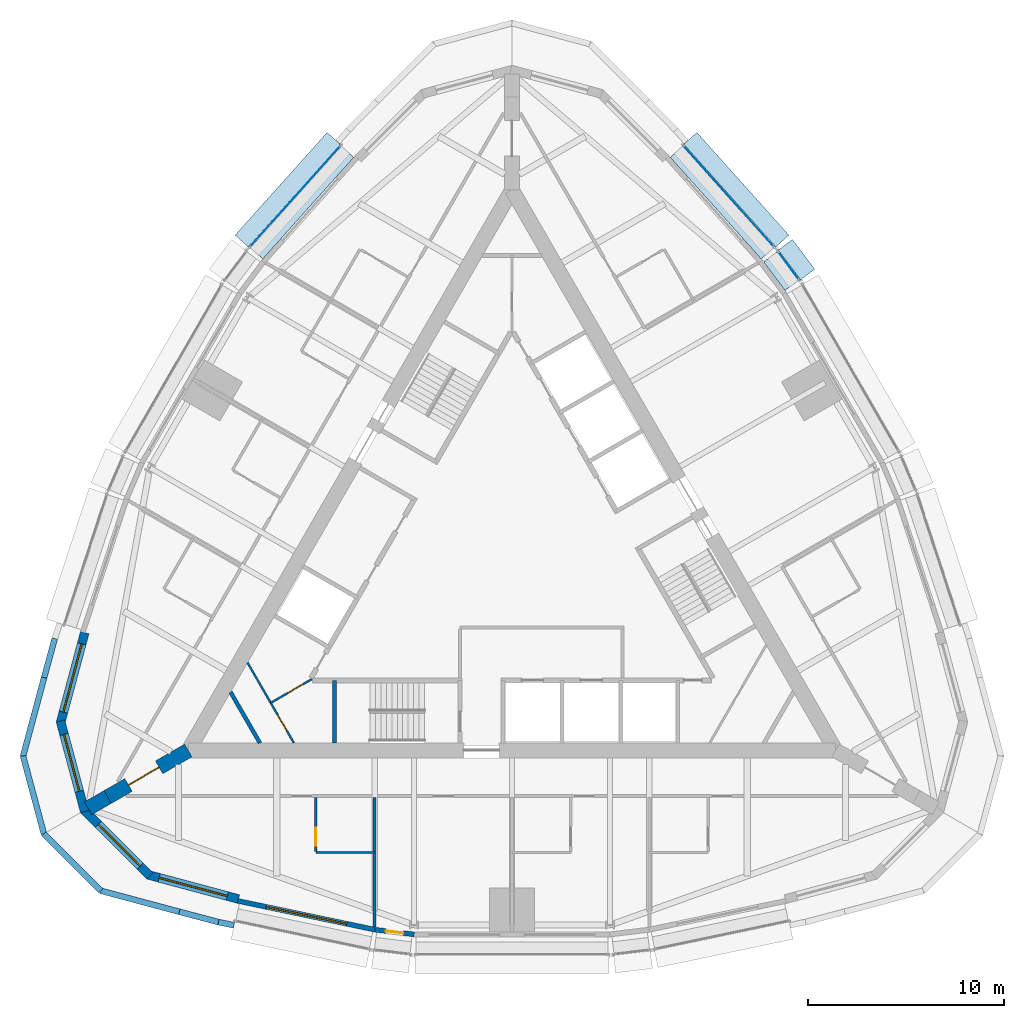
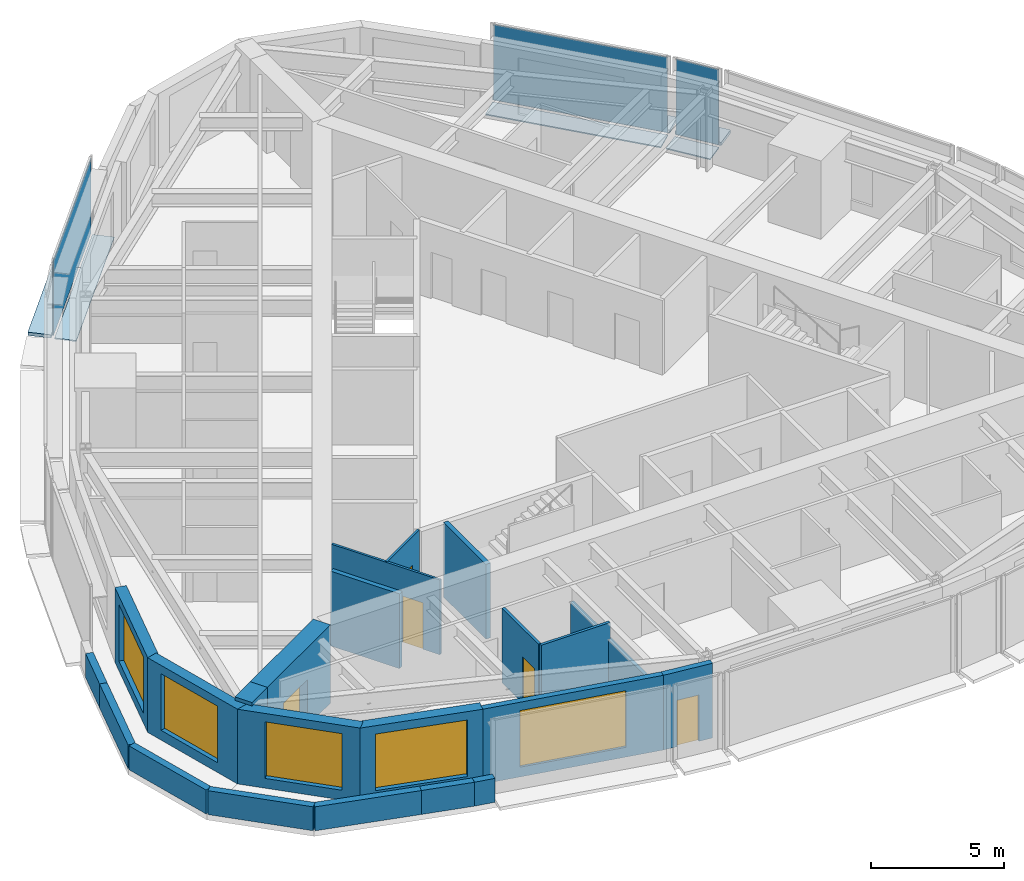
# One storey, part 7 of 13: 22 walls, 9 plates, 5 doors, 5 windows, 10 openings, 3 elements without a shape of their own.
"""IFC4 building model written with IfcOpenShell, lengths in metres."""

from ifc_helpers import new_model, si_unit, direction, frame, frame_2d, origin, origin_2d, place, context, subcontext, project, spatial, polyline, rectangle, outline, extrude, material, layer, layer_set, type_object, element, fill, aggregate, save


model = new_model("IFC4")

# Units and contexts
model_context = context("Model", 3, precision=1e-05, world=origin(), true_north=direction((0.0, 1.0)))
body_context = subcontext(model_context, "Body", "Model", "MODEL_VIEW")
ifc_project = project(units=[si_unit("LENGTHUNIT", "METRE"), si_unit("AREAUNIT", "SQUARE_METRE"), si_unit("VOLUMEUNIT", "CUBIC_METRE"), si_unit("PLANEANGLEUNIT", "RADIAN"), si_unit("MASSUNIT", "GRAM", prefix="KILO")], contexts=[model_context])

# Site, building, storey
site_placement = place(None, origin())
site = spatial("IfcSite", under=ifc_project, at=site_placement, CompositionType="ELEMENT")
building_placement = place(site_placement, origin())
building = spatial("IfcBuilding", under=site, at=building_placement, Name="Trikona Tower", CompositionType="ELEMENT")
storey_placement = place(building_placement, frame((0.0, 0.0, 239.300048828125)))
storey = spatial("IfcBuildingStorey", under=building, at=storey_placement, Name="L63", CompositionType="ELEMENT", Elevation=239.300048828125)

# Plates
ifc_material_1 = material(Name="Aluminium bar grating", Category="aluminium")
ifc_layer_1 = layer(ifc_material_1, 0.050048828125)
ifc_layer_set_1 = layer_set([ifc_layer_1], Name="Cavity catwalk grating")
plate_type_1 = type_object("IfcPlateType", Name="Cavity catwalk grating", PredefinedType="USERDEFINED", material=ifc_layer_set_1)
plate_1_placement = place(storey_placement, frame((13.713134765625, 14.9033203125, -0.05029296875), z_axis=(0.0, 0.0, 1.0), x_axis=(-0.599618784879, 0.800285769472, 0.0)))
element("IfcPlate", 1, at=plate_1_placement, inside=storey, type_object=plate_type_1, Name="Cavity catwalk L63-12", ObjectType="CATWALK GRATING", PredefinedType="USERDEFINED", context=body_context, shape_type="SweptSolid", body=[
    extrude(rectangle(XDim=1.814208984375, YDim=0.840087890625, at=origin_2d()), origin(), (0.0, 0.0, 1.0), 0.050048828125),
])
for number, where, z_axis, x_axis, name in (
    (2, (10.699462890625, 18.4013671875, -0.05029296875), (0.0, 0.0, 1.0), (-0.667311465398, 0.744778764566, 0.0), "Cavity catwalk L63-13"),
    (3, (-10.699462890625, 18.4013671875, -0.05029296875), (0.0, 0.0, 1.0), (-0.667311465398, -0.744778764566, 0.0), "Cavity catwalk L63-18"),
):
    element("IfcPlate", number, at=place(storey_placement, frame(where, z_axis=z_axis, x_axis=x_axis)), inside=storey, type_object=plate_type_1, Name=name, ObjectType="CATWALK GRATING", PredefinedType="USERDEFINED", context=body_context, shape_type="SweptSolid", body=[
        extrude(rectangle(XDim=6.95263671875, YDim=0.840087890625, at=origin_2d()), origin(), (0.0, 0.0, 1.0), 0.050048828125),
    ])

# Curtain wall, plate
ifc_material_2 = material(Name="Aluminium curtain wall system", Category="aluminium")
curtain_wall_type = type_object("IfcCurtainWallType", Name="Curtain wall DS3", PredefinedType="NOTDEFINED", material=ifc_material_2)
curtain_wall_1_placement = place(storey_placement, origin())
curtain_wall_1 = element("IfcCurtainWall", 4, at=curtain_wall_1_placement, inside=storey, type_object=curtain_wall_type, Name="Curtain wall DS3 L63", PredefinedType="NOTDEFINED")
ifc_material_3 = material(Name="Laminated clear glass", Category="glass")
ifc_layer_2 = layer(ifc_material_3, 0.028076171875)
ifc_layer_set_2 = layer_set([ifc_layer_2], Name="Glass panel DS3")
plate_type_2 = type_object("IfcPlateType", Name="Glass panel DS3", PredefinedType="CURTAIN_PANEL", material=ifc_layer_set_2)
plate_2_placement = place(storey_placement, frame((14.09716796875, 15.191162109375, 0.070068359375), z_axis=(0.0, 0.0, 1.0), x_axis=(-0.599653634435, 0.800259657055, 0.0)))
plate_2 = element("IfcPlate", 5, at=plate_2_placement, type_object=plate_type_2, Name="CW-DS3 panel 1.1", PredefinedType="CURTAIN_PANEL", context=body_context, shape_type="SweptSolid", body=[
    extrude(rectangle(XDim=1.754150390625, YDim=0.028076171875, at=origin_2d()), origin(), (0.0, 0.0, 1.0), 3.4599609375),
])
aggregate(curtain_wall_1, [plate_2])

curtain_wall_2_placement = place(storey_placement, origin())
curtain_wall_2 = element("IfcCurtainWall", 6, at=curtain_wall_2_placement, inside=storey, type_object=curtain_wall_type, Name="Curtain wall DS3 L63", PredefinedType="NOTDEFINED")
plate_3_placement = place(storey_placement, frame((11.056884765625, 18.7216796875, 0.070068359375), z_axis=(0.0, 0.0, 1.0), x_axis=(-0.667319643748, 0.744771436797, 0.0)))
plate_3 = element("IfcPlate", 7, at=plate_3_placement, type_object=plate_type_2, Name="CW-DS3 panel 1.1", PredefinedType="CURTAIN_PANEL", context=body_context, shape_type="SweptSolid", body=[
    extrude(rectangle(XDim=6.892822265625, YDim=0.028076171875, at=origin_2d()), origin(), (0.0, 0.0, 1.0), 3.4599609375),
])
aggregate(curtain_wall_2, [plate_3])

curtain_wall_3_placement = place(storey_placement, origin())
curtain_wall_3 = element("IfcCurtainWall", 8, at=curtain_wall_3_placement, inside=storey, type_object=curtain_wall_type, Name="Curtain wall DS3 L63", PredefinedType="NOTDEFINED")
plate_4_placement = place(storey_placement, frame((-11.056884765625, 18.7216796875, 0.070068359375), z_axis=(0.0, 0.0, 1.0), x_axis=(-0.667319643748, -0.744771436797, 0.0)))
plate_4 = element("IfcPlate", 9, at=plate_4_placement, type_object=plate_type_2, Name="CW-DS3 panel 1.1", PredefinedType="CURTAIN_PANEL", context=body_context, shape_type="SweptSolid", body=[
    extrude(rectangle(XDim=6.892822265625, YDim=0.028076171875, at=origin_2d()), origin(), (0.0, 0.0, 1.0), 3.4599609375),
])
aggregate(curtain_wall_3, [plate_4])

# Plates
ifc_material_4 = material(Name="Aluminium plate fin, pale anodised, on stainless steel outriggers", Category="steel")
ifc_layer_3 = layer(ifc_material_4, 0.14990234375)
ifc_layer_set_3 = layer_set([ifc_layer_3], Name="Outer skin fin 900")
plate_type_3 = type_object("IfcPlateType", Name="Outer skin fin 900", PredefinedType="USERDEFINED", material=ifc_layer_set_3)
plate_5_placement = place(storey_placement, frame((14.50537109375, 15.496826171875, 0.0), z_axis=(0.0, 0.0, 1.0), x_axis=(-0.599618784879, 0.800285769472, 0.0)))
element("IfcPlate", 10, at=plate_5_placement, inside=storey, type_object=plate_type_3, Name="Outer skin fin L63-12", ObjectType="FIN", PredefinedType="USERDEFINED", context=body_context, shape_type="SweptSolid", body=[
    extrude(rectangle(XDim=1.894287109375, YDim=0.89990234375, at=origin_2d()), origin(), (0.0, 0.0, 1.0), 0.14990234375),
])
for number, where, z_axis, x_axis, name in (
    (11, (11.436767578125, 19.06201171875, 0.0), (0.0, 0.0, 1.0), (-0.667311465398, 0.744778764566, 0.0), "Outer skin fin L63-13"),
    (12, (-11.436767578125, 19.06201171875, 0.0), (0.0, 0.0, 1.0), (-0.667311465398, -0.744778764566, 0.0), "Outer skin fin L63-18"),
):
    element("IfcPlate", number, at=place(storey_placement, frame(where, z_axis=z_axis, x_axis=x_axis)), inside=storey, type_object=plate_type_3, Name=name, ObjectType="FIN", PredefinedType="USERDEFINED", context=body_context, shape_type="SweptSolid", body=[
        extrude(rectangle(XDim=7.03271484375, YDim=0.89990234375, at=origin_2d()), origin(), (0.0, 0.0, 1.0), 0.14990234375),
    ])

# Wall
ifc_material_5 = material(Name="Metal stud and cement board", Category="gypsum")
ifc_layer_4 = layer(ifc_material_5, 0.1201171875)
ifc_layer_set_4 = layer_set([ifc_layer_4], Name="Bathroom wall 120")
wall_type_1 = type_object("IfcWallType", Name="Bathroom wall 120", PredefinedType="PLUMBINGWALL", material=ifc_layer_set_4)
wall_1_placement = place(storey_placement, frame((-10.0, -14.726318359375, 0.0), z_axis=(0.0, 0.0, 1.0), x_axis=(1.0, 0.0, 0.0)))
element("IfcWall", 13, at=wall_1_placement, inside=storey, type_object=wall_type_1, Name="Bathroom wall 6301", PredefinedType="PLUMBINGWALL", context=body_context, shape_type="SweptSolid", body=[
    extrude(rectangle(XDim=3.0, YDim=0.1201171875, at=frame_2d((1.5, 0.0))), origin(), (0.0, 0.0, 1.0), 3.43505859375),
])

# Wall, opening, door
wall_2_placement = place(storey_placement, frame((-10.0, -11.92626953125, 0.0), z_axis=(0.0, 0.0, 1.0), x_axis=(0.0, -1.0, 0.0)))
wall_2 = element("IfcWall", 14, at=wall_2_placement, inside=storey, type_object=wall_type_1, Name="Bathroom wall 6301", PredefinedType="PLUMBINGWALL", context=body_context, shape_type="SweptSolid", body=[
    extrude(rectangle(XDim=2.739990234375, YDim=0.1201171875, at=frame_2d((1.3701171875, 0.0))), origin(), (0.0, 0.0, 1.0), 3.43505859375),
])
opening_1_placement = place(wall_2_placement, frame((1.550048828125, 0.0, 0.0)))
opening_1 = element("IfcOpeningElement", 15, at=opening_1_placement, cuts=wall_2, Name="Opening D2", PredefinedType="OPENING", context=body_context, shape_type="SweptSolid", body=[
    extrude(rectangle(XDim=0.89990234375, YDim=2.1298828125, at=frame_2d((0.449951171875, 1.06494140625))), frame((0.0, 0.070068359375, 0.0), z_axis=(0.0, -1.0, 0.0), x_axis=(1.0, 0.0, 0.0)), (0.0, 0.0, 1.0), 0.14013671875),
])
ifc_material_6 = material(Name="Steel door frame with solid-core timber leaf", Category="steel")
door_type_1 = type_object("IfcDoorType", Name="Bathroom door 900x2130", OperationType="SLIDING_TO_LEFT", PredefinedType="DOOR", material=ifc_material_6)
door_1_placement = place(opening_1_placement, origin())
door_1 = element("IfcDoor", 16, at=door_1_placement, inside=storey, type_object=door_type_1, Name="Bathroom door 6301", OperationType="SLIDING_TO_LEFT", OverallHeight=2.1298828125, OverallWidth=0.89990234375, PredefinedType="DOOR", context=body_context, shape_type="SweptSolid", body=[
    extrude(rectangle(XDim=0.89990234375, YDim=2.1298828125, at=frame_2d((0.449951171875, 1.06494140625))), frame((0.0, 0.02490234375, 0.0), z_axis=(0.0, -1.0, 0.0), x_axis=(1.0, 0.0, 0.0)), (0.0, 0.0, 1.0), 0.050048828125),
])
fill(opening_1, door_1)

# Wall, opening, window
ifc_material_7 = material(Name="Brick-faced precast concrete", Category="masonry")
ifc_layer_5 = layer(ifc_material_7, 0.449951171875)
ifc_layer_set_5 = layer_set([ifc_layer_5], Name="Brick-faced corner wall 450")
wall_type_2 = type_object("IfcWallType", Name="Brick-faced corner wall 450", PredefinedType="SOLIDWALL", material=ifc_layer_set_5)
wall_3_placement = place(storey_placement, frame((-21.78271484375, -3.522216796875, 0.0), z_axis=(0.0, 0.0, 1.0), x_axis=(-0.25880328844, -0.965930048136, 0.0)))
wall_3 = element("IfcWall", 17, at=wall_3_placement, inside=storey, type_object=wall_type_2, Name="External wall L63-23", PredefinedType="SOLIDWALL", context=body_context, shape_type="SweptSolid", body=[
    extrude(rectangle(XDim=4.78173828125, YDim=0.449951171875, at=frame_2d((2.390869140625, 0.0))), origin(), (0.0, 0.0, 1.0), 3.43505859375),
])
opening_2_placement = place(wall_3_placement, frame((0.5908203125, 0.0, 0.449951171875)))
opening_2 = element("IfcOpeningElement", 18, at=opening_2_placement, cuts=wall_3, Name="Opening W3626", PredefinedType="OPENING", context=body_context, shape_type="SweptSolid", body=[
    extrude(rectangle(XDim=3.60009765625, YDim=2.60009765625, at=frame_2d((1.800048828125, 1.300048828125))), frame((0.0, 0.23486328125, 0.0), z_axis=(0.0, -1.0, 0.0), x_axis=(1.0, 0.0, 0.0)), (0.0, 0.0, 1.0), 0.469970703125),
])
ifc_material_8 = material(Name="Aluminium-framed double glazing", Category="aluminium")
window_type_1 = type_object("IfcWindowType", Name="Window 3600x2600", PartitioningType="SINGLE_PANEL", PredefinedType="WINDOW", material=ifc_material_8)
window_1_placement = place(opening_2_placement, origin())
window_1 = element("IfcWindow", 19, at=window_1_placement, inside=storey, type_object=window_type_1, Name="Window 6309", OverallHeight=2.60009765625, OverallWidth=3.60009765625, PartitioningType="SINGLE_PANEL", PredefinedType="WINDOW", context=body_context, shape_type="SweptSolid", body=[
    extrude(rectangle(XDim=3.60009765625, YDim=2.60009765625, at=frame_2d((1.800048828125, 1.300048828125))), frame((0.0, 0.030029296875, 0.0), z_axis=(0.0, -1.0, 0.0), x_axis=(1.0, 0.0, 0.0)), (0.0, 0.0, 1.0), 0.06005859375),
])
fill(opening_2, window_1)

wall_4_placement = place(storey_placement, frame((-23.020263671875, -8.024658203125, 0.0), z_axis=(0.0, 0.0, 1.0), x_axis=(0.25880328844, -0.965930048136, 0.0)))
wall_4 = element("IfcWall", 20, at=wall_4_placement, inside=storey, type_object=wall_type_2, Name="External wall L63-24", PredefinedType="SOLIDWALL", context=body_context, shape_type="SweptSolid", body=[
    extrude(outline(polyline([(4.78173828125, 0.22509765625), (4.72216796875, 0.22509765625), (4.302978515625, 0.112548828125), (4.27294921875, 0.22509765625), (0.0, 0.22509765625), (0.0, -0.22509765625), (4.78173828125, -0.22509765625), (4.78173828125, 0.22509765625)])), origin(), (0.0, 0.0, 1.0), 3.43505859375),
])
opening_3_placement = place(wall_4_placement, frame((0.71142578125, 0.0, 0.449951171875)))
opening_3 = element("IfcOpeningElement", 21, at=opening_3_placement, cuts=wall_4, Name="Opening W3026", PredefinedType="OPENING", context=body_context, shape_type="SweptSolid", body=[
    extrude(rectangle(XDim=3.0, YDim=2.60009765625, at=frame_2d((1.5, 1.300048828125))), frame((0.0, 0.23486328125, 0.0), z_axis=(0.0, -1.0, 0.0), x_axis=(1.0, 0.0, 0.0)), (0.0, 0.0, 1.0), 0.469970703125),
])
ifc_material_9 = material(Name="Aluminium-framed double glazing", Category="aluminium")
window_type_2 = type_object("IfcWindowType", Name="Window 3000x2600", PartitioningType="SINGLE_PANEL", PredefinedType="WINDOW", material=ifc_material_9)
window_2_placement = place(opening_3_placement, origin())
window_2 = element("IfcWindow", 22, at=window_2_placement, inside=storey, type_object=window_type_2, Name="Window 6309", OverallHeight=2.60009765625, OverallWidth=3.0, PartitioningType="SINGLE_PANEL", PredefinedType="WINDOW", context=body_context, shape_type="SweptSolid", body=[
    extrude(rectangle(XDim=3.0, YDim=2.60009765625, at=frame_2d((1.5, 1.300048828125))), frame((0.0, 0.030029296875, 0.0), z_axis=(0.0, -1.0, 0.0), x_axis=(1.0, 0.0, 0.0)), (0.0, 0.0, 1.0), 0.06005859375),
])
fill(opening_3, window_2)

wall_5_placement = place(storey_placement, frame((-21.8408203125, -12.54248046875, 0.0), z_axis=(0.0, 0.0, 1.0), x_axis=(0.707081252484, -0.707132308968, 0.0)))
wall_5 = element("IfcWall", 23, at=wall_5_placement, inside=storey, type_object=wall_type_2, Name="External wall L63-25", PredefinedType="SOLIDWALL", context=body_context, shape_type="SweptSolid", body=[
    extrude(outline(polyline([(4.78173828125, 0.22509765625), (0.5087890625, 0.22509765625), (0.478759765625, 0.112548828125), (0.058837890625, 0.22509765625), (0.0, 0.22509765625), (0.0, -0.22509765625), (4.78173828125, -0.22509765625), (4.78173828125, 0.22509765625)])), origin(), (0.0, 0.0, 1.0), 3.43505859375),
])
opening_4_placement = place(wall_5_placement, frame((1.0703125, 0.0, 0.449951171875)))
opening_4 = element("IfcOpeningElement", 24, at=opening_4_placement, cuts=wall_5, Name="Opening W3026", PredefinedType="OPENING", context=body_context, shape_type="SweptSolid", body=[
    extrude(rectangle(XDim=3.0, YDim=2.60009765625, at=frame_2d((1.5, 1.300048828125))), frame((0.0, 0.23486328125, 0.0), z_axis=(0.0, -1.0, 0.0), x_axis=(1.0, 0.0, 0.0)), (0.0, 0.0, 1.0), 0.469970703125),
])
window_3_placement = place(opening_4_placement, origin())
window_3 = element("IfcWindow", 25, at=window_3_placement, inside=storey, type_object=window_type_2, Name="Window 6301", OverallHeight=2.60009765625, OverallWidth=3.0, PartitioningType="SINGLE_PANEL", PredefinedType="WINDOW", context=body_context, shape_type="SweptSolid", body=[
    extrude(rectangle(XDim=3.0, YDim=2.60009765625, at=frame_2d((1.5, 1.300048828125))), frame((0.0, 0.030029296875, 0.0), z_axis=(0.0, -1.0, 0.0), x_axis=(1.0, 0.0, 0.0)), (0.0, 0.0, 1.0), 0.06005859375),
])
fill(opening_4, window_3)

wall_6_placement = place(storey_placement, frame((-18.560546875, -15.865478515625, 0.0), z_axis=(0.0, 0.0, 1.0), x_axis=(0.965913862671, -0.258863689806, 0.0)))
wall_6 = element("IfcWall", 26, at=wall_6_placement, inside=storey, type_object=wall_type_2, Name="External wall L63-26", PredefinedType="SOLIDWALL", context=body_context, shape_type="SweptSolid", body=[
    extrude(rectangle(XDim=4.78173828125, YDim=0.449951171875, at=frame_2d((2.390869140625, 0.0))), origin(), (0.0, 0.0, 1.0), 3.43505859375),
])
opening_5_placement = place(wall_6_placement, frame((0.5908203125, 0.0, 0.449951171875)))
opening_5 = element("IfcOpeningElement", 27, at=opening_5_placement, cuts=wall_6, Name="Opening W3626", PredefinedType="OPENING", context=body_context, shape_type="SweptSolid", body=[
    extrude(rectangle(XDim=3.60009765625, YDim=2.60009765625, at=frame_2d((1.800048828125, 1.300048828125))), frame((0.0, 0.23486328125, 0.0), z_axis=(0.0, -1.0, 0.0), x_axis=(1.0, 0.0, 0.0)), (0.0, 0.0, 1.0), 0.469970703125),
])
window_4_placement = place(opening_5_placement, origin())
window_4 = element("IfcWindow", 28, at=window_4_placement, inside=storey, type_object=window_type_1, Name="Window 6301", OverallHeight=2.60009765625, OverallWidth=3.60009765625, PartitioningType="SINGLE_PANEL", PredefinedType="WINDOW", context=body_context, shape_type="SweptSolid", body=[
    extrude(rectangle(XDim=3.60009765625, YDim=2.60009765625, at=frame_2d((1.800048828125, 1.300048828125))), frame((0.0, 0.030029296875, 0.0), z_axis=(0.0, -1.0, 0.0), x_axis=(1.0, 0.0, 0.0)), (0.0, 0.0, 1.0), 0.06005859375),
])
fill(opening_5, window_4)

# Wall, opening, door
ifc_material_10 = material(Name="Concrete f'c 10000 psi", Category="concrete")
ifc_layer_6 = layer(ifc_material_10, 0.75)
ifc_layer_set_6 = layer_set([ifc_layer_6], Name="Buttress wall 750")
wall_type_3 = type_object("IfcWallType", Name="Buttress wall 750", PredefinedType="SHEAR", material=ifc_layer_set_6)
wall_7_placement = place(storey_placement, frame((-16.5, -9.5263671875, 0.0), z_axis=(0.0, 0.0, 1.0), x_axis=(-0.866031398331, -0.499989616998, 0.0)))
wall_7 = element("IfcWall", 29, at=wall_7_placement, inside=storey, type_object=wall_type_3, Name="Buttress wall 3", PredefinedType="SHEAR", context=body_context, shape_type="SweptSolid", body=[
    extrude(rectangle(XDim=4.74609375, YDim=0.75, at=frame_2d((2.373046875, 0.0))), origin(), (0.0, 0.0, 1.0), 3.599853515625),
])
opening_6_placement = place(wall_7_placement, frame((1.72509765625, 0.0, 0.0)))
opening_6 = element("IfcOpeningElement", 30, at=opening_6_placement, cuts=wall_7, Name="Opening D10", PredefinedType="OPENING", context=body_context, shape_type="SweptSolid", body=[
    extrude(rectangle(XDim=1.800048828125, YDim=2.1298828125, at=frame_2d((0.89990234375, 1.06494140625))), frame((0.0, 0.385009765625, 0.0), z_axis=(0.0, -1.0, 0.0), x_axis=(1.0, 0.0, 0.0)), (0.0, 0.0, 1.0), 0.77001953125),
])
ifc_material_11 = material(Name="Hollow metal door and frame", Category="steel")
door_type_2 = type_object("IfcDoorType", Name="Cross-corridor door pair 1800x2130", OperationType="DOUBLE_DOOR_DOUBLE_SWING", PredefinedType="DOOR", material=ifc_material_11)
door_2_placement = place(opening_6_placement, origin())
door_2 = element("IfcDoor", 31, at=door_2_placement, inside=storey, type_object=door_type_2, Name="Cross-corridor door 3", OperationType="DOUBLE_DOOR_DOUBLE_SWING", OverallHeight=2.1298828125, OverallWidth=1.800048828125, PredefinedType="DOOR", context=body_context, shape_type="SweptSolid", body=[
    extrude(rectangle(XDim=1.800048828125, YDim=2.1298828125, at=frame_2d((0.89990234375, 1.06494140625))), frame((0.0, 0.02490234375, 0.0), z_axis=(0.0, -1.0, 0.0), x_axis=(1.0, 0.0, 0.0)), (0.0, 0.0, 1.0), 0.050048828125),
])
fill(opening_6, door_2)

# Wall
wall_8_placement = place(storey_placement, frame((-20.6103515625, -11.8994140625, 0.0), z_axis=(0.0, 0.0, 1.0), x_axis=(-0.866009537788, -0.500027479704, 0.0)))
element("IfcWall", 32, at=wall_8_placement, inside=storey, type_object=wall_type_3, Name="Buttress wall 3 part 2", PredefinedType="SHEAR", context=body_context, shape_type="SweptSolid", body=[
    extrude(rectangle(XDim=1.15478515625, YDim=0.75, at=frame_2d((0.577392578125, 0.0))), origin(), (0.0, 0.0, 1.0), 3.599853515625),
])

# Wall, opening, window
ifc_material_12 = material(Name="Insulated precast concrete spandrel panel", Category="concrete")
ifc_layer_7 = layer(ifc_material_12, 0.25)
ifc_layer_set_7 = layer_set([ifc_layer_7], Name="Inner skin wall 250")
wall_type_4 = type_object("IfcWallType", Name="Inner skin wall 250", PredefinedType="STANDARD", material=ifc_layer_set_7)
wall_9_placement = place(storey_placement, frame((-13.974365234375, -17.1982421875, 0.0), z_axis=(0.0, 0.0, 1.0), x_axis=(0.978654320409, -0.205513311355, 0.0)))
wall_9 = element("IfcWall", 33, at=wall_9_placement, inside=storey, type_object=wall_type_4, Name="External wall L63-00", PredefinedType="STANDARD", context=body_context, shape_type="SweptSolid", body=[
    extrude(rectangle(XDim=7.152587890625, YDim=0.25, at=frame_2d((3.576171875, 0.0))), origin(), (0.0, 0.0, 1.0), 3.43505859375),
])
opening_7_placement = place(wall_9_placement, frame((1.476318359375, 0.0, 0.449951171875)))
opening_7 = element("IfcOpeningElement", 34, at=opening_7_placement, cuts=wall_9, Name="Opening W4226", PredefinedType="OPENING", context=body_context, shape_type="SweptSolid", body=[
    extrude(rectangle(XDim=4.199951171875, YDim=2.60009765625, at=frame_2d((2.10009765625, 1.300048828125))), frame((0.0, 0.135009765625, 0.0), z_axis=(0.0, -1.0, 0.0), x_axis=(1.0, 0.0, 0.0)), (0.0, 0.0, 1.0), 0.27001953125),
])
ifc_material_13 = material(Name="Aluminium-framed double glazing", Category="aluminium")
window_type_3 = type_object("IfcWindowType", Name="Window 4200x2600", PartitioningType="SINGLE_PANEL", PredefinedType="WINDOW", material=ifc_material_13)
window_5_placement = place(opening_7_placement, origin())
window_5 = element("IfcWindow", 35, at=window_5_placement, inside=storey, type_object=window_type_3, Name="Window 6301", OverallHeight=2.60009765625, OverallWidth=4.199951171875, PartitioningType="SINGLE_PANEL", PredefinedType="WINDOW", context=body_context, shape_type="SweptSolid", body=[
    extrude(rectangle(XDim=4.199951171875, YDim=2.60009765625, at=frame_2d((2.10009765625, 1.300048828125))), frame((0.0, 0.030029296875, 0.0), z_axis=(0.0, -1.0, 0.0), x_axis=(1.0, 0.0, 0.0)), (0.0, 0.0, 1.0), 0.06005859375),
])
fill(opening_7, window_5)

# Wall, opening, door
wall_10_placement = place(storey_placement, frame((-6.985107421875, -18.66650390625, 0.0), z_axis=(0.0, 0.0, 1.0), x_axis=(0.992877411981, -0.119140441403, 0.0)))
wall_10 = element("IfcWall", 36, at=wall_10_placement, inside=storey, type_object=wall_type_4, Name="External wall L63-01", PredefinedType="STANDARD", context=body_context, shape_type="SweptSolid", body=[
    extrude(rectangle(XDim=2.014404296875, YDim=0.25, at=frame_2d((1.00732421875, 0.0))), origin(), (0.0, 0.0, 1.0), 3.43505859375),
])
opening_8_placement = place(wall_10_placement, frame((0.55712890625, 0.0, 0.0)))
opening_8 = element("IfcOpeningElement", 37, at=opening_8_placement, cuts=wall_10, Name="Opening D17", PredefinedType="OPENING", context=body_context, shape_type="SweptSolid", body=[
    extrude(rectangle(XDim=0.89990234375, YDim=2.1298828125, at=frame_2d((0.449951171875, 1.06494140625))), frame((0.0, 0.135009765625, 0.0), z_axis=(0.0, -1.0, 0.0), x_axis=(1.0, 0.0, 0.0)), (0.0, 0.0, 1.0), 0.27001953125),
])
ifc_material_14 = material(Name="Insulated steel door and frame", Category="steel")
door_type_3 = type_object("IfcDoorType", Name="Maintenance roof access door 900x2130", OperationType="SINGLE_SWING_LEFT", PredefinedType="DOOR", material=ifc_material_14)
door_3_placement = place(opening_8_placement, origin())
door_3 = element("IfcDoor", 38, at=door_3_placement, inside=storey, type_object=door_type_3, Name="Maintenance access door Housekeeping pantry", OperationType="SINGLE_SWING_LEFT", OverallHeight=2.1298828125, OverallWidth=0.89990234375, PredefinedType="DOOR", context=body_context, shape_type="SweptSolid", body=[
    extrude(rectangle(XDim=0.89990234375, YDim=2.1298828125, at=frame_2d((0.449951171875, 1.06494140625))), frame((0.0, 0.02490234375, 0.0), z_axis=(0.0, -1.0, 0.0), x_axis=(1.0, 0.0, 0.0)), (0.0, 0.0, 1.0), 0.050048828125),
])
fill(opening_8, door_3)

# Walls
ifc_material_15 = material(Name="Brick-faced precast concrete", Category="masonry")
ifc_layer_8 = layer(ifc_material_15, 0.300048828125)
ifc_layer_set_8 = layer_set([ifc_layer_8], Name="Parapet wall 300")
wall_type_5 = type_object("IfcWallType", Name="Parapet wall 300", PredefinedType="PARAPET", material=ifc_layer_set_8)
wall_11_placement = place(storey_placement, frame((-16.96142578125, -17.7529296875, 0.0), z_axis=(0.0, 0.0, 1.0), x_axis=(-0.965922277207, 0.258832290092, 0.0)))
element("IfcWall", 39, at=wall_11_placement, inside=storey, type_object=wall_type_5, Name="Parapet L63-00", PredefinedType="PARAPET", context=body_context, shape_type="SweptSolid", body=[
    extrude(rectangle(XDim=4.1435546875, YDim=0.300048828125, at=frame_2d((2.07177734375, 0.0))), origin(), (0.0, 0.0, 1.0), 1.099853515625),
])
wall_12_placement = place(storey_placement, frame((-20.9638671875, -16.680419921875, 0.0), z_axis=(0.0, 0.0, 1.0), x_axis=(-0.707106781187, 0.707106781187, 0.0)))
element("IfcWall", 40, at=wall_12_placement, inside=storey, type_object=wall_type_5, Name="Parapet L63-01", PredefinedType="PARAPET", context=body_context, shape_type="SweptSolid", body=[
    extrude(rectangle(XDim=4.103515625, YDim=0.300048828125, at=frame_2d((2.0517578125, 0.0))), origin(), (0.0, 0.0, 1.0), 1.099853515625),
])
wall_13_placement = place(storey_placement, frame((-23.865478515625, -13.77880859375, 0.0), z_axis=(0.0, 0.0, 1.0), x_axis=(-0.258795560265, 0.965932118726, 0.0)))
element("IfcWall", 41, at=wall_13_placement, inside=storey, type_object=wall_type_5, Name="Parapet L63-02", PredefinedType="PARAPET", context=body_context, shape_type="SweptSolid", body=[
    extrude(rectangle(XDim=4.103759765625, YDim=0.300048828125, at=frame_2d((2.0517578125, 0.0))), origin(), (0.0, 0.0, 1.0), 1.099853515625),
])
wall_14_placement = place(storey_placement, frame((-24.927490234375, -9.81494140625, 0.0), z_axis=(0.0, 0.0, 1.0), x_axis=(0.258777316825, 0.965937006381, 0.0)))
element("IfcWall", 42, at=wall_14_placement, inside=storey, type_object=wall_type_5, Name="Parapet L63-03", PredefinedType="PARAPET", context=body_context, shape_type="SweptSolid", body=[
    extrude(rectangle(XDim=4.1435546875, YDim=0.300048828125, at=frame_2d((2.07177734375, 0.0))), origin(), (0.0, 0.0, 1.0), 1.099853515625),
])
wall_15_placement = place(storey_placement, frame((-23.855224609375, -5.8125, 0.0), z_axis=(0.0, 0.0, 1.0), x_axis=(0.262857141623, 0.964834764661, 0.0)))
element("IfcWall", 43, at=wall_15_placement, inside=storey, type_object=wall_type_5, Name="Parapet L63-04", PredefinedType="PARAPET", context=body_context, shape_type="SweptSolid", body=[
    extrude(rectangle(XDim=2.063720703125, YDim=0.300048828125, at=frame_2d((1.03173828125, 0.0))), origin(), (0.0, 0.0, 1.0), 1.099853515625),
])
wall_16_placement = place(storey_placement, frame((-14.174072265625, -18.44189453125, 0.0), z_axis=(0.0, 0.0, 1.0), x_axis=(-0.979437739826, 0.201746657479, 0.0)))
element("IfcWall", 44, at=wall_16_placement, inside=storey, type_object=wall_type_5, Name="Parapet L63-34", PredefinedType="PARAPET", context=body_context, shape_type="SweptSolid", body=[
    extrude(rectangle(XDim=0.808349609375, YDim=0.300048828125, at=frame_2d((0.404296875, 0.0))), origin(), (0.0, 0.0, 1.0), 1.099853515625),
])
wall_17_placement = place(storey_placement, frame((-14.9658203125, -18.27880859375, 0.0), z_axis=(0.0, 0.0, 1.0), x_axis=(-0.966988668416, 0.25481937751, 0.0)))
element("IfcWall", 45, at=wall_17_placement, inside=storey, type_object=wall_type_5, Name="Parapet L63-35", PredefinedType="PARAPET", context=body_context, shape_type="SweptSolid", body=[
    extrude(rectangle(XDim=2.063720703125, YDim=0.300048828125, at=frame_2d((1.03173828125, 0.0))), origin(), (0.0, 0.0, 1.0), 1.099853515625),
])
ifc_material_16 = material(Name="Metal stud and gypsum board, 1-hour acoustic", Category="gypsum")
ifc_layer_9 = layer(ifc_material_16, 0.14990234375)
ifc_layer_set_9 = layer_set([ifc_layer_9], Name="Party wall 150")
wall_type_6 = type_object("IfcWallType", Name="Party wall 150", PredefinedType="PARTITIONING", material=ifc_layer_set_9)
wall_18_placement = place(storey_placement, frame((-7.0, -11.92626953125, 0.0), z_axis=(0.0, 0.0, 1.0), x_axis=(0.0, -1.0, 0.0)))
element("IfcWall", 46, at=wall_18_placement, inside=storey, type_object=wall_type_6, Name="Partition L63 F1 u-7", PredefinedType="PARTITIONING", context=body_context, shape_type="SweptSolid", body=[
    extrude(rectangle(XDim=6.608642578125, YDim=0.14990234375, at=frame_2d((3.30419921875, 0.0))), origin(), (0.0, 0.0, 1.0), 2.677978515625),
])
ifc_material_17 = material(Name="Concrete f'c 8000 psi", Category="concrete")
ifc_layer_10 = layer(ifc_material_17, 0.199951171875)
ifc_layer_set_10 = layer_set([ifc_layer_10], Name="Shaft wall 200")
wall_type_7 = type_object("IfcWallType", Name="Shaft wall 200", PredefinedType="SOLIDWALL", material=ifc_layer_set_10)
wall_19_placement = place(storey_placement, frame((-12.848388671875, -9.1513671875, 0.0), z_axis=(0.0, 0.0, 1.0), x_axis=(-0.499952404951, 0.866052881055, 0.0)))
element("IfcWall", 47, at=wall_19_placement, inside=storey, type_object=wall_type_7, Name="Riser wall L63-RS3", PredefinedType="SOLIDWALL", context=body_context, shape_type="SweptSolid", body=[
    extrude(rectangle(XDim=3.002197265625, YDim=0.199951171875, at=frame_2d((1.5009765625, 0.0))), origin(), (0.0, 0.0, 1.0), 3.43505859375),
])
ifc_material_18 = material(Name="Concrete f'c 8000 psi", Category="concrete")
ifc_layer_11 = layer(ifc_material_18, 0.199951171875)
ifc_layer_set_11 = layer_set([ifc_layer_11], Name="Shaft wall 200 load-bearing")
wall_type_8 = type_object("IfcWallType", Name="Shaft wall 200 load-bearing", PredefinedType="SOLIDWALL", material=ifc_layer_set_11)
wall_20_placement = place(storey_placement, frame((-9.050048828125, -5.951416015625, 0.0), z_axis=(0.0, 0.0, 1.0), x_axis=(0.0, -1.0, 0.0)))
element("IfcWall", 48, at=wall_20_placement, inside=storey, type_object=wall_type_8, Name="Shaft wall A1", PredefinedType="SOLIDWALL", context=body_context, shape_type="SweptSolid", body=[
    extrude(rectangle(XDim=3.199951171875, YDim=0.199951171875, at=frame_2d((1.60009765625, 0.0))), origin(), (0.0, 0.0, 1.0), 3.43505859375),
])

# Wall, opening, door
ifc_material_19 = material(Name="Metal stud and gypsum board, acoustic", Category="gypsum")
ifc_layer_12 = layer(ifc_material_19, 0.10009765625)
ifc_layer_set_12 = layer_set([ifc_layer_12], Name="Suite partition 100")
wall_type_9 = type_object("IfcWallType", Name="Suite partition 100", PredefinedType="PARTITIONING", material=ifc_layer_set_12)
wall_21_placement = place(storey_placement, frame((-11.1162109375, -9.1513671875, 0.0), z_axis=(0.0, 0.0, 1.0), x_axis=(-0.499999210213, 0.866025859768, 0.0)))
wall_21 = element("IfcWall", 49, at=wall_21_placement, inside=storey, type_object=wall_type_9, Name="Store partition L63-RS3", PredefinedType="PARTITIONING", context=body_context, shape_type="SweptSolid", body=[
    extrude(rectangle(XDim=4.734375, YDim=0.10009765625, at=frame_2d((2.3671875, 0.0))), origin(), (0.0, 0.0, 1.0), 3.43505859375),
])
opening_9_placement = place(wall_21_placement, frame((0.733642578125, 0.0, 0.0)))
opening_9 = element("IfcOpeningElement", 50, at=opening_9_placement, cuts=wall_21, Name="Opening D15", PredefinedType="OPENING", context=body_context, shape_type="SweptSolid", body=[
    extrude(rectangle(XDim=0.89990234375, YDim=2.1298828125, at=frame_2d((0.449951171875, 1.06494140625))), frame((0.0, 0.06005859375, 0.0), z_axis=(0.0, -1.0, 0.0), x_axis=(1.0, 0.0, 0.0)), (0.0, 0.0, 1.0), 0.1201171875),
])
ifc_material_20 = material(Name="Steel door frame with solid-core timber leaf", Category="steel")
door_type_4 = type_object("IfcDoorType", Name="Store door 900x2130", OperationType="SINGLE_SWING_LEFT", PredefinedType="DOOR", material=ifc_material_20)
door_4_placement = place(opening_9_placement, origin())
door_4 = element("IfcDoor", 51, at=door_4_placement, inside=storey, type_object=door_type_4, Name="Door Amenity store AMS", OperationType="SINGLE_SWING_LEFT", OverallHeight=2.1298828125, OverallWidth=0.89990234375, PredefinedType="DOOR", context=body_context, shape_type="SweptSolid", body=[
    extrude(rectangle(XDim=0.89990234375, YDim=2.1298828125, at=frame_2d((0.449951171875, 1.06494140625))), frame((0.0, 0.02490234375, 0.0), z_axis=(0.0, -1.0, 0.0), x_axis=(1.0, 0.0, 0.0)), (0.0, 0.0, 1.0), 0.050048828125),
])
fill(opening_9, door_4)

wall_22_placement = place(storey_placement, frame((-12.2998046875, -7.101318359375, 0.0), z_axis=(0.0, 0.0, 1.0), x_axis=(0.866022978719, 0.500004200313, 0.0)))
wall_22 = element("IfcWall", 52, at=wall_22_placement, inside=storey, type_object=wall_type_9, Name="Store partition L63-RS3", PredefinedType="PARTITIONING", context=body_context, shape_type="SweptSolid", body=[
    extrude(rectangle(XDim=2.42529296875, YDim=0.10009765625, at=frame_2d((1.212646484375, 0.0))), origin(), (0.0, 0.0, 1.0), 3.43505859375),
])
opening_10_placement = place(wall_22_placement, frame((1.005126953125, 0.0, 0.0)))
opening_10 = element("IfcOpeningElement", 53, at=opening_10_placement, cuts=wall_22, Name="Opening D15", PredefinedType="OPENING", context=body_context, shape_type="SweptSolid", body=[
    extrude(rectangle(XDim=0.89990234375, YDim=2.1298828125, at=frame_2d((0.449951171875, 1.06494140625))), frame((0.0, 0.06005859375, 0.0), z_axis=(0.0, -1.0, 0.0), x_axis=(1.0, 0.0, 0.0)), (0.0, 0.0, 1.0), 0.1201171875),
])
door_5_placement = place(opening_10_placement, origin())
door_5 = element("IfcDoor", 54, at=door_5_placement, inside=storey, type_object=door_type_4, Name="Door Uniform store UNF", OperationType="SINGLE_SWING_RIGHT", OverallHeight=2.1298828125, OverallWidth=0.89990234375, PredefinedType="DOOR", context=body_context, shape_type="SweptSolid", body=[
    extrude(rectangle(XDim=0.89990234375, YDim=2.1298828125, at=frame_2d((0.449951171875, 1.06494140625))), frame((0.0, 0.02490234375, 0.0), z_axis=(0.0, -1.0, 0.0), x_axis=(1.0, 0.0, 0.0)), (0.0, 0.0, 1.0), 0.050048828125),
])
fill(opening_10, door_5)

save(model, "model.ifc")
